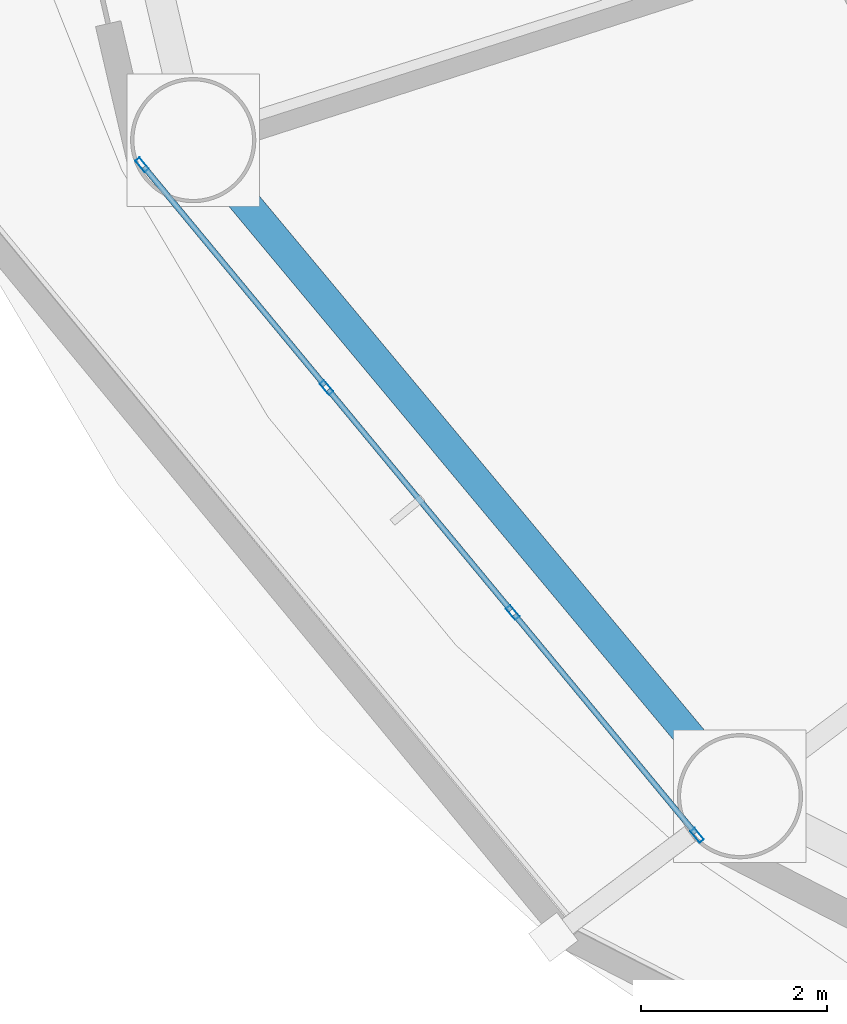
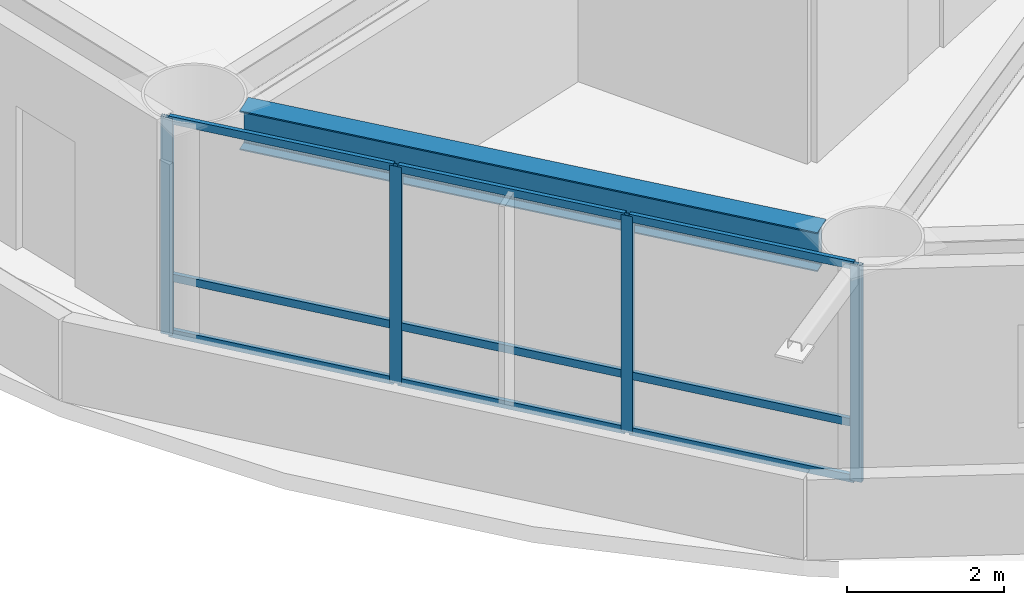
# One storey, part 2 of 25: 13 members, 1 beam, 1 element without a shape of its own.
"""IFC4 building model written with IfcOpenShell, lengths in metres."""

from ifc_helpers import new_model, si_unit, direction, frame, origin, origin_2d, place, context, subcontext, project, spatial, hollow_rectangle, i_section, extrude, material, layer, layer_set, material_profile, profile_set, type_object, element, aggregate, save


model = new_model("IFC4")

# Units and contexts
model_context = context("Model", 3, precision=1e-05, world=origin(), true_north=direction((0.0, 1.0)))
body_context = subcontext(model_context, "Body", "Model", "MODEL_VIEW")
ifc_project = project(units=[si_unit("LENGTHUNIT", "METRE"), si_unit("AREAUNIT", "SQUARE_METRE"), si_unit("VOLUMEUNIT", "CUBIC_METRE"), si_unit("PLANEANGLEUNIT", "RADIAN"), si_unit("MASSUNIT", "GRAM", prefix="KILO")], contexts=[model_context])

# Site, building, storey
site_placement = place(None, origin())
site = spatial("IfcSite", under=ifc_project, at=site_placement, CompositionType="ELEMENT")
building_placement = place(site_placement, origin())
building = spatial("IfcBuilding", under=site, at=building_placement, Name="Sarneth Arch Tower", CompositionType="ELEMENT")
storey_placement = place(building_placement, frame((0.0, 0.0, 84.0)))
storey = spatial("IfcBuildingStorey", under=building, at=storey_placement, Name="L20", CompositionType="ELEMENT", Elevation=84.0)

# Beam
ifc_material_1 = material(Name="Steel S355", Category="steel")
ifc_material_profile_1 = material_profile(ifc_material_1, i_section(OverallWidth=0.323974609375, OverallDepth=0.611083984375, WebThickness=0.0126953125, FlangeThickness=0.01904296875, FilletRadius=0.01904296875, at=origin_2d()), Name="W610x155")
ifc_profile_set_1 = profile_set([ifc_material_profile_1], Name="Steel S355")
beam_type = type_object("IfcBeamType", Name="BM-SPAN-610B", PredefinedType="SPANDREL", material=ifc_profile_set_1)
beam_placement = place(storey_placement, frame((22.140869140625, 33.138916015625, 3.074462890625), z_axis=(0.640169116175, -0.768234015581, 0.0), x_axis=(0.768234015581, 0.640169116175, 0.0)))
element("IfcBeam", 1, at=beam_placement, inside=storey, type_object=beam_type, Name="L20 Perimeter spandrel beam 10", PredefinedType="SPANDREL", context=body_context, shape_type="SweptSolid", body=[
    extrude(i_section(OverallWidth=0.323974609375, OverallDepth=0.611083984375, WebThickness=0.0126953125, FlangeThickness=0.01904296875, FilletRadius=0.01904296875, at=origin_2d()), origin(), (0.0, 0.0, 1.0), 7.856201171875),
])

# Curtain wall, members
ifc_material_2 = material(Name="Anodised aluminium Type AA25 and solar-control low-e laminated IGU", Category="aluminium")
ifc_layer = layer(ifc_material_2, 0.159912109375)
ifc_layer_set = layer_set([ifc_layer], Name="Anodised aluminium Type AA25 and solar-control low-e laminated IGU")
curtain_wall_type = type_object("IfcCurtainWallType", Name="CW-HOTEL-MID", PredefinedType="NOTDEFINED", material=ifc_layer_set)
curtain_wall_placement = place(storey_placement, origin())
curtain_wall = element("IfcCurtainWall", 2, at=curtain_wall_placement, inside=storey, type_object=curtain_wall_type, Name="L20 Unitised curtain wall facet 10", PredefinedType="NOTDEFINED")
ifc_material_3 = material(Name="Anodised Aluminium 6063-T6", Category="aluminium")
ifc_material_profile_2 = material_profile(ifc_material_3, hollow_rectangle(XDim=0.06005859375, YDim=0.159912109375, WallThickness=0.00390625, at=origin_2d()), Name="AL-MULL-160x60x4")
ifc_profile_set_2 = profile_set([ifc_material_profile_2], Name="Anodised Aluminium 6063-T6")
member_type_1 = type_object("IfcMemberType", Name="CW-MULLION", PredefinedType="MULLION", material=ifc_profile_set_2)
member_1_placement = place(storey_placement, frame((21.15771484375, 33.393310546875, 0.0), z_axis=(0.0, 0.0, 1.0), x_axis=(0.770437787363, 0.637515188684, 0.0)))
member_1 = element("IfcMember", 3, at=member_1_placement, type_object=member_type_1, Name="CW-SYS-4 mullion 1", PredefinedType="MULLION", context=body_context, shape_type="SweptSolid", body=[
    extrude(hollow_rectangle(XDim=0.06005859375, YDim=0.159912109375, WallThickness=0.00390625, at=origin_2d()), origin(), (0.0, 0.0, 1.0), 3.3798828125),
])
member_2_placement = place(storey_placement, frame((23.145751953125, 30.99072265625, 0.0), z_axis=(0.0, 0.0, 1.0), x_axis=(0.770437787363, 0.637515188684, 0.0)))
member_2 = element("IfcMember", 4, at=member_2_placement, type_object=member_type_1, Name="CW-SYS-4 mullion 2", PredefinedType="MULLION", context=body_context, shape_type="SweptSolid", body=[
    extrude(hollow_rectangle(XDim=0.06005859375, YDim=0.159912109375, WallThickness=0.00390625, at=origin_2d()), origin(), (0.0, 0.0, 1.0), 3.3798828125),
])
member_3_placement = place(storey_placement, frame((25.15283203125, 28.565185546875, 0.0), z_axis=(0.0, 0.0, 1.0), x_axis=(0.770437787363, 0.637515188684, 0.0)))
member_3 = element("IfcMember", 5, at=member_3_placement, type_object=member_type_1, Name="CW-SYS-4 mullion 3", PredefinedType="MULLION", context=body_context, shape_type="SweptSolid", body=[
    extrude(hollow_rectangle(XDim=0.06005859375, YDim=0.159912109375, WallThickness=0.00390625, at=origin_2d()), origin(), (0.0, 0.0, 1.0), 3.3798828125),
])
member_4_placement = place(storey_placement, frame((27.140869140625, 26.16259765625, 0.0), z_axis=(0.0, 0.0, 1.0), x_axis=(0.770437787363, 0.637515188684, 0.0)))
member_4 = element("IfcMember", 6, at=member_4_placement, type_object=member_type_1, Name="CW-SYS-4 mullion 4", PredefinedType="MULLION", context=body_context, shape_type="SweptSolid", body=[
    extrude(hollow_rectangle(XDim=0.06005859375, YDim=0.159912109375, WallThickness=0.00390625, at=origin_2d()), origin(), (0.0, 0.0, 1.0), 3.3798828125),
])
ifc_material_4 = material(Name="Anodised Aluminium 6063-T6", Category="aluminium")
ifc_material_profile_3 = material_profile(ifc_material_4, hollow_rectangle(XDim=0.06005859375, YDim=0.1201171875, WallThickness=0.00390625, at=origin_2d()), Name="AL-TRAN-120x60x4")
ifc_profile_set_3 = profile_set([ifc_material_profile_3], Name="Anodised Aluminium 6063-T6")
member_type_2 = type_object("IfcMemberType", Name="CW-TRANSOM", PredefinedType="USERDEFINED", material=ifc_profile_set_3)
member_5_placement = place(storey_placement, frame((21.1767578125, 33.3701171875, 0.030029296875), z_axis=(0.637566080343, -0.770395673142, 0.0), x_axis=(0.770395673142, 0.637566080343, 0.0)))
member_5 = element("IfcMember", 7, at=member_5_placement, type_object=member_type_2, Name="CW-SYS-4 transom 1.1", ObjectType="TRANSOM", PredefinedType="USERDEFINED", context=body_context, shape_type="SweptSolid", body=[
    extrude(hollow_rectangle(XDim=0.06005859375, YDim=0.1201171875, WallThickness=0.00390625, at=origin_2d()), origin(), (0.0, 0.0, 1.0), 3.058349609375),
])
member_6_placement = place(storey_placement, frame((21.1767578125, 33.3701171875, 0.89990234375), z_axis=(0.637566080343, -0.770395673142, 0.0), x_axis=(0.770395673142, 0.637566080343, 0.0)))
member_6 = element("IfcMember", 8, at=member_6_placement, type_object=member_type_2, Name="CW-SYS-4 transom 1.2", ObjectType="TRANSOM", PredefinedType="USERDEFINED", context=body_context, shape_type="SweptSolid", body=[
    extrude(hollow_rectangle(XDim=0.06005859375, YDim=0.1201171875, WallThickness=0.00390625, at=origin_2d()), origin(), (0.0, 0.0, 1.0), 3.058349609375),
])
member_7_placement = place(storey_placement, frame((21.1767578125, 33.3701171875, 3.35009765625), z_axis=(0.637566080343, -0.770395673142, 0.0), x_axis=(0.770395673142, 0.637566080343, 0.0)))
member_7 = element("IfcMember", 9, at=member_7_placement, type_object=member_type_2, Name="CW-SYS-4 transom 1.3", ObjectType="TRANSOM", PredefinedType="USERDEFINED", context=body_context, shape_type="SweptSolid", body=[
    extrude(hollow_rectangle(XDim=0.06005859375, YDim=0.1201171875, WallThickness=0.00390625, at=origin_2d()), origin(), (0.0, 0.0, 1.0), 3.058349609375),
])
member_8_placement = place(storey_placement, frame((23.164794921875, 30.9677734375, 0.030029296875), z_axis=(0.637536975021, -0.770419759275, 0.0), x_axis=(0.770419759275, 0.637536975021, 0.0)))
member_8 = element("IfcMember", 10, at=member_8_placement, type_object=member_type_2, Name="CW-SYS-4 transom 2.1", ObjectType="TRANSOM", PredefinedType="USERDEFINED", context=body_context, shape_type="SweptSolid", body=[
    extrude(hollow_rectangle(XDim=0.06005859375, YDim=0.1201171875, WallThickness=0.00390625, at=origin_2d()), origin(), (0.0, 0.0, 1.0), 3.08837890625),
])
member_9_placement = place(storey_placement, frame((23.164794921875, 30.9677734375, 0.89990234375), z_axis=(0.637536975021, -0.770419759275, 0.0), x_axis=(0.770419759275, 0.637536975021, 0.0)))
member_9 = element("IfcMember", 11, at=member_9_placement, type_object=member_type_2, Name="CW-SYS-4 transom 2.2", ObjectType="TRANSOM", PredefinedType="USERDEFINED", context=body_context, shape_type="SweptSolid", body=[
    extrude(hollow_rectangle(XDim=0.06005859375, YDim=0.1201171875, WallThickness=0.00390625, at=origin_2d()), origin(), (0.0, 0.0, 1.0), 3.08837890625),
])
member_10_placement = place(storey_placement, frame((23.164794921875, 30.9677734375, 3.35009765625), z_axis=(0.637536975021, -0.770419759275, 0.0), x_axis=(0.770419759275, 0.637536975021, 0.0)))
member_10 = element("IfcMember", 12, at=member_10_placement, type_object=member_type_2, Name="CW-SYS-4 transom 2.3", ObjectType="TRANSOM", PredefinedType="USERDEFINED", context=body_context, shape_type="SweptSolid", body=[
    extrude(hollow_rectangle(XDim=0.06005859375, YDim=0.1201171875, WallThickness=0.00390625, at=origin_2d()), origin(), (0.0, 0.0, 1.0), 3.08837890625),
])
member_11_placement = place(storey_placement, frame((25.171875, 28.5419921875, 0.030029296875), z_axis=(0.637566080343, -0.770395673142, 0.0), x_axis=(0.770395673142, 0.637566080343, 0.0)))
member_11 = element("IfcMember", 13, at=member_11_placement, type_object=member_type_2, Name="CW-SYS-4 transom 3.1", ObjectType="TRANSOM", PredefinedType="USERDEFINED", context=body_context, shape_type="SweptSolid", body=[
    extrude(hollow_rectangle(XDim=0.06005859375, YDim=0.1201171875, WallThickness=0.00390625, at=origin_2d()), origin(), (0.0, 0.0, 1.0), 3.058349609375),
])
member_12_placement = place(storey_placement, frame((25.171875, 28.5419921875, 0.89990234375), z_axis=(0.637566080343, -0.770395673142, 0.0), x_axis=(0.770395673142, 0.637566080343, 0.0)))
member_12 = element("IfcMember", 14, at=member_12_placement, type_object=member_type_2, Name="CW-SYS-4 transom 3.2", ObjectType="TRANSOM", PredefinedType="USERDEFINED", context=body_context, shape_type="SweptSolid", body=[
    extrude(hollow_rectangle(XDim=0.06005859375, YDim=0.1201171875, WallThickness=0.00390625, at=origin_2d()), origin(), (0.0, 0.0, 1.0), 3.058349609375),
])
member_13_placement = place(storey_placement, frame((25.171875, 28.5419921875, 3.35009765625), z_axis=(0.637566080343, -0.770395673142, 0.0), x_axis=(0.770395673142, 0.637566080343, 0.0)))
member_13 = element("IfcMember", 15, at=member_13_placement, type_object=member_type_2, Name="CW-SYS-4 transom 3.3", ObjectType="TRANSOM", PredefinedType="USERDEFINED", context=body_context, shape_type="SweptSolid", body=[
    extrude(hollow_rectangle(XDim=0.06005859375, YDim=0.1201171875, WallThickness=0.00390625, at=origin_2d()), origin(), (0.0, 0.0, 1.0), 3.058349609375),
])
aggregate(curtain_wall, [member_1, member_2, member_3, member_4, member_5, member_6, member_7, member_8, member_9, member_10, member_11, member_12, member_13])

save(model, "model.ifc")
